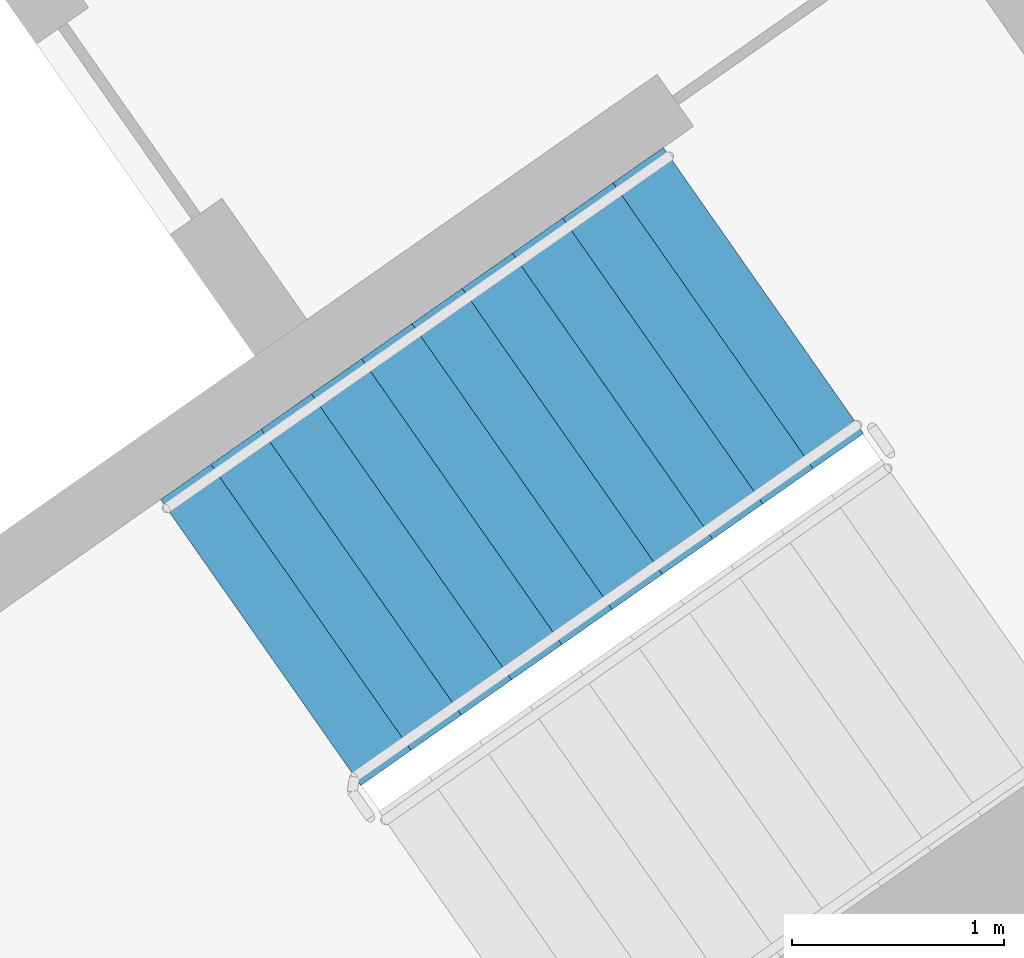
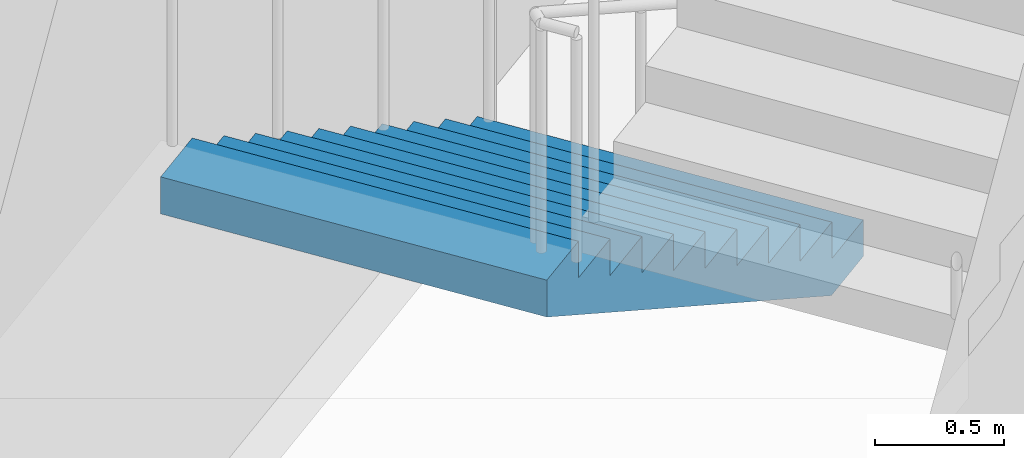
# One storey, part 15 of 28: 1 stair flight, 1 element without a shape of its own.
"""IFC4 building model written with IfcOpenShell, lengths in metres."""

from ifc_helpers import new_model, si_unit, direction, frame, origin, place, context, subcontext, project, spatial, faceted_brep, material, type_object, element, aggregate, save


model = new_model("IFC4")

# Units and contexts
model_context = context("Model", 3, precision=1e-05, world=origin(), true_north=direction((0.0, 1.0)))
body_context = subcontext(model_context, "Body", "Model", "MODEL_VIEW")
ifc_project = project(units=[si_unit("LENGTHUNIT", "METRE"), si_unit("AREAUNIT", "SQUARE_METRE"), si_unit("VOLUMEUNIT", "CUBIC_METRE"), si_unit("PLANEANGLEUNIT", "RADIAN"), si_unit("MASSUNIT", "GRAM", prefix="KILO")], contexts=[model_context])

# Site, building, storey
site_placement = place(None, origin())
site = spatial("IfcSite", under=ifc_project, at=site_placement, CompositionType="ELEMENT")
building_placement = place(site_placement, origin())
building = spatial("IfcBuilding", under=site, at=building_placement, Name="Qamariyya Broadcast Tower", CompositionType="ELEMENT")
storey_placement = place(building_placement, frame((0.0, 0.0, 234.10009765625)))
storey = spatial("IfcBuildingStorey", under=building, at=storey_placement, Name="L56", CompositionType="ELEMENT", Elevation=234.10009765625)

# Stair, stair flight
ifc_material = material(Name="Concrete C50/60", Category="concrete")
stair_type = type_object("IfcStairType", Name="Exit stair 22 risers of 173 mm", PredefinedType="HALF_TURN_STAIR", material=ifc_material)
stair_placement = place(storey_placement, origin())
stair = element("IfcStair", 1, at=stair_placement, inside=storey, type_object=stair_type, Name="L56 Stair E1", PredefinedType="HALF_TURN_STAIR")
stair_flight_type = type_object("IfcStairFlightType", Name="Exit stair flight 11 risers of 173 mm", PredefinedType="STRAIGHT", material=ifc_material)
stair_flight_placement = place(storey_placement, frame((46.036376953125, -55.508056640625, 0.0), z_axis=(0.0, 0.0, 1.0), x_axis=(-0.819152044289, -0.573576436351, 0.0)))
stair_flight = element("IfcStairFlight", 2, at=stair_flight_placement, type_object=stair_flight_type, Name="ST-E1 flight 1", NumberOfRisers=11, NumberOfTreads=10, PredefinedType="STRAIGHT", RiserHeight=0.172727273, TreadLength=0.29, context=body_context, shape_type="Brep", body=[
    faceted_brep([(0.0, 0.824951171875, 0.0), (0.0, 0.824951171875, 0.172607421875), (0.2900390625, 0.824951171875, 0.172607421875), (0.2900390625, 0.824951171875, 0.345458984375), (0.580078125, 0.824951171875, 0.345458984375), (0.580078125, 0.824951171875, 0.51806640625), (0.8701171875, 0.824951171875, 0.51806640625), (0.8701171875, 0.824951171875, 0.69091796875), (1.159912109375, 0.824951171875, 0.69091796875), (1.159912109375, 0.824951171875, 0.863525390625), (1.449951171875, 0.824951171875, 0.863525390625), (1.449951171875, 0.824951171875, 1.036376953125), (1.739990234375, 0.824951171875, 1.036376953125), (1.739990234375, 0.824951171875, 1.208984375), (2.030029296875, 0.824951171875, 1.208984375), (2.030029296875, 0.824951171875, 1.3818359375), (2.320068359375, 0.824951171875, 1.3818359375), (2.320068359375, 0.824951171875, 1.554443359375), (2.610107421875, 0.824951171875, 1.554443359375), (2.610107421875, 0.824951171875, 1.727294921875), (2.89990234375, 0.824951171875, 1.727294921875), (2.89990234375, 0.824951171875, 1.552734375), (0.29296875, 0.824951171875, 0.0), (0.29296875, -0.824951171875, 0.0), (2.89990234375, -0.824951171875, 1.552734375), (2.89990234375, -0.824951171875, 1.727294921875), (2.610107421875, -0.824951171875, 1.727294921875), (2.610107421875, -0.824951171875, 1.554443359375), (2.320068359375, -0.824951171875, 1.554443359375), (2.320068359375, -0.824951171875, 1.3818359375), (2.030029296875, -0.824951171875, 1.3818359375), (2.030029296875, -0.824951171875, 1.208984375), (1.739990234375, -0.824951171875, 1.208984375), (1.739990234375, -0.824951171875, 1.036376953125), (1.449951171875, -0.824951171875, 1.036376953125), (1.449951171875, -0.824951171875, 0.863525390625), (1.159912109375, -0.824951171875, 0.863525390625), (1.159912109375, -0.824951171875, 0.69091796875), (0.8701171875, -0.824951171875, 0.69091796875), (0.8701171875, -0.824951171875, 0.51806640625), (0.580078125, -0.824951171875, 0.51806640625), (0.580078125, -0.824951171875, 0.345458984375), (0.2900390625, -0.824951171875, 0.345458984375), (0.2900390625, -0.824951171875, 0.172607421875), (0.0, -0.824951171875, 0.172607421875), (0.0, -0.824951171875, 0.0), (0.0, 0.10009765625, 0.0), (0.0, 0.086669921875, 0.0), (0.0, 0.0732421875, 0.0), (0.0, 0.06005859375, 0.0), (0.0, 0.046630859375, 0.0), (0.0, 0.033447265625, 0.0), (0.0, 0.02001953125, 0.0), (0.0, 0.006591796875, 0.0), (0.0, -0.006591796875, 0.0), (0.0, -0.02001953125, 0.0), (0.0, -0.033447265625, 0.0), (0.0, -0.046630859375, 0.0), (0.0, -0.06005859375, 0.0), (0.0, -0.0732421875, 0.0), (0.0, -0.086669921875, 0.0), (0.0, -0.10009765625, 0.0), (0.0, -0.10009765625, 0.172607421875), (0.0, -0.086669921875, 0.172607421875), (0.0, -0.0732421875, 0.172607421875), (0.0, -0.06005859375, 0.172607421875), (0.0, -0.046630859375, 0.172607421875), (0.0, -0.033447265625, 0.172607421875), (0.0, -0.02001953125, 0.172607421875), (0.0, -0.006591796875, 0.172607421875), (0.0, 0.006591796875, 0.172607421875), (0.0, 0.02001953125, 0.172607421875), (0.0, 0.033447265625, 0.172607421875), (0.0, 0.046630859375, 0.172607421875), (0.0, 0.06005859375, 0.172607421875), (0.0, 0.0732421875, 0.172607421875), (0.0, 0.086669921875, 0.172607421875), (0.0, 0.10009765625, 0.172607421875), (0.2900390625, -0.10009765625, 0.172607421875), (0.2900390625, -0.086669921875, 0.172607421875), (0.2900390625, -0.0732421875, 0.172607421875), (0.2900390625, -0.06005859375, 0.172607421875), (0.2900390625, -0.046630859375, 0.172607421875), (0.2900390625, -0.033447265625, 0.172607421875), (0.2900390625, -0.02001953125, 0.172607421875), (0.2900390625, -0.006591796875, 0.172607421875), (0.2900390625, 0.006591796875, 0.172607421875), (0.2900390625, 0.02001953125, 0.172607421875), (0.2900390625, 0.033447265625, 0.172607421875), (0.2900390625, 0.046630859375, 0.172607421875), (0.2900390625, 0.06005859375, 0.172607421875), (0.2900390625, 0.0732421875, 0.172607421875), (0.2900390625, 0.086669921875, 0.172607421875), (0.2900390625, 0.10009765625, 0.172607421875), (0.2900390625, -0.10009765625, 0.345458984375), (0.2900390625, -0.086669921875, 0.345458984375), (0.2900390625, -0.0732421875, 0.345458984375), (0.2900390625, -0.06005859375, 0.345458984375), (0.2900390625, -0.046630859375, 0.345458984375), (0.2900390625, -0.033447265625, 0.345458984375), (0.2900390625, -0.02001953125, 0.345458984375), (0.2900390625, -0.006591796875, 0.345458984375), (0.2900390625, 0.006591796875, 0.345458984375), (0.2900390625, 0.02001953125, 0.345458984375), (0.2900390625, 0.033447265625, 0.345458984375), (0.2900390625, 0.046630859375, 0.345458984375), (0.2900390625, 0.06005859375, 0.345458984375), (0.2900390625, 0.0732421875, 0.345458984375), (0.2900390625, 0.086669921875, 0.345458984375), (0.2900390625, 0.10009765625, 0.345458984375), (0.580078125, -0.10009765625, 0.345458984375), (0.580078125, -0.086669921875, 0.345458984375), (0.580078125, -0.0732421875, 0.345458984375), (0.580078125, -0.06005859375, 0.345458984375), (0.580078125, -0.046630859375, 0.345458984375), (0.580078125, -0.033447265625, 0.345458984375), (0.580078125, -0.02001953125, 0.345458984375), (0.580078125, -0.006591796875, 0.345458984375), (0.580078125, 0.006591796875, 0.345458984375), (0.580078125, 0.02001953125, 0.345458984375), (0.580078125, 0.033447265625, 0.345458984375), (0.580078125, 0.046630859375, 0.345458984375), (0.580078125, 0.06005859375, 0.345458984375), (0.580078125, 0.0732421875, 0.345458984375), (0.580078125, 0.086669921875, 0.345458984375), (0.580078125, 0.10009765625, 0.345458984375), (0.580078125, -0.10009765625, 0.51806640625), (0.580078125, -0.086669921875, 0.51806640625), (0.580078125, -0.0732421875, 0.51806640625), (0.580078125, -0.06005859375, 0.51806640625), (0.580078125, -0.046630859375, 0.51806640625), (0.580078125, -0.033447265625, 0.51806640625), (0.580078125, -0.02001953125, 0.51806640625), (0.580078125, -0.006591796875, 0.51806640625), (0.580078125, 0.006591796875, 0.51806640625), (0.580078125, 0.02001953125, 0.51806640625), (0.580078125, 0.033447265625, 0.51806640625), (0.580078125, 0.046630859375, 0.51806640625), (0.580078125, 0.06005859375, 0.51806640625), (0.580078125, 0.0732421875, 0.51806640625), (0.580078125, 0.086669921875, 0.51806640625), (0.580078125, 0.10009765625, 0.51806640625), (0.8701171875, -0.10009765625, 0.51806640625), (0.8701171875, -0.086669921875, 0.51806640625), (0.8701171875, -0.0732421875, 0.51806640625), (0.8701171875, -0.06005859375, 0.51806640625), (0.8701171875, -0.046630859375, 0.51806640625), (0.8701171875, -0.033447265625, 0.51806640625), (0.8701171875, -0.02001953125, 0.51806640625), (0.8701171875, -0.006591796875, 0.51806640625), (0.8701171875, 0.006591796875, 0.51806640625), (0.8701171875, 0.02001953125, 0.51806640625), (0.8701171875, 0.033447265625, 0.51806640625), (0.8701171875, 0.046630859375, 0.51806640625), (0.8701171875, 0.06005859375, 0.51806640625), (0.8701171875, 0.0732421875, 0.51806640625), (0.8701171875, 0.086669921875, 0.51806640625), (0.8701171875, 0.10009765625, 0.51806640625), (0.8701171875, -0.10009765625, 0.69091796875), (0.8701171875, -0.086669921875, 0.69091796875), (0.8701171875, -0.0732421875, 0.69091796875), (0.8701171875, -0.06005859375, 0.69091796875), (0.8701171875, -0.046630859375, 0.69091796875), (0.8701171875, -0.033447265625, 0.69091796875), (0.8701171875, -0.02001953125, 0.69091796875), (0.8701171875, -0.006591796875, 0.69091796875), (0.8701171875, 0.006591796875, 0.69091796875), (0.8701171875, 0.02001953125, 0.69091796875), (0.8701171875, 0.033447265625, 0.69091796875), (0.8701171875, 0.046630859375, 0.69091796875), (0.8701171875, 0.06005859375, 0.69091796875), (0.8701171875, 0.0732421875, 0.69091796875), (0.8701171875, 0.086669921875, 0.69091796875), (0.8701171875, 0.10009765625, 0.69091796875), (1.159912109375, -0.10009765625, 0.69091796875), (1.159912109375, -0.086669921875, 0.69091796875), (1.159912109375, -0.0732421875, 0.69091796875), (1.159912109375, -0.06005859375, 0.69091796875), (1.159912109375, -0.046630859375, 0.69091796875), (1.159912109375, -0.033447265625, 0.69091796875), (1.159912109375, -0.02001953125, 0.69091796875), (1.159912109375, -0.006591796875, 0.69091796875), (1.159912109375, 0.006591796875, 0.69091796875), (1.159912109375, 0.02001953125, 0.69091796875), (1.159912109375, 0.033447265625, 0.69091796875), (1.159912109375, 0.046630859375, 0.69091796875), (1.159912109375, 0.06005859375, 0.69091796875), (1.159912109375, 0.0732421875, 0.69091796875), (1.159912109375, 0.086669921875, 0.69091796875), (1.159912109375, 0.10009765625, 0.69091796875), (1.159912109375, -0.10009765625, 0.863525390625), (1.159912109375, -0.086669921875, 0.863525390625), (1.159912109375, -0.0732421875, 0.863525390625), (1.159912109375, -0.06005859375, 0.863525390625), (1.159912109375, -0.046630859375, 0.863525390625), (1.159912109375, -0.033447265625, 0.863525390625), (1.159912109375, -0.02001953125, 0.863525390625), (1.159912109375, -0.006591796875, 0.863525390625), (1.159912109375, 0.006591796875, 0.863525390625), (1.159912109375, 0.02001953125, 0.863525390625), (1.159912109375, 0.033447265625, 0.863525390625), (1.159912109375, 0.046630859375, 0.863525390625), (1.159912109375, 0.06005859375, 0.863525390625), (1.159912109375, 0.0732421875, 0.863525390625), (1.159912109375, 0.086669921875, 0.863525390625), (1.159912109375, 0.10009765625, 0.863525390625), (1.449951171875, -0.10009765625, 0.863525390625), (1.449951171875, -0.086669921875, 0.863525390625), (1.449951171875, -0.0732421875, 0.863525390625), (1.449951171875, -0.06005859375, 0.863525390625), (1.449951171875, -0.046630859375, 0.863525390625), (1.449951171875, -0.033447265625, 0.863525390625), (1.449951171875, -0.02001953125, 0.863525390625), (1.449951171875, -0.006591796875, 0.863525390625), (1.449951171875, 0.006591796875, 0.863525390625), (1.449951171875, 0.02001953125, 0.863525390625), (1.449951171875, 0.033447265625, 0.863525390625), (1.449951171875, 0.046630859375, 0.863525390625), (1.449951171875, 0.06005859375, 0.863525390625), (1.449951171875, 0.0732421875, 0.863525390625), (1.449951171875, 0.086669921875, 0.863525390625), (1.449951171875, 0.10009765625, 0.863525390625), (1.449951171875, -0.10009765625, 1.036376953125), (1.449951171875, -0.086669921875, 1.036376953125), (1.449951171875, -0.0732421875, 1.036376953125), (1.449951171875, -0.06005859375, 1.036376953125), (1.449951171875, -0.046630859375, 1.036376953125), (1.449951171875, -0.033447265625, 1.036376953125), (1.449951171875, -0.02001953125, 1.036376953125), (1.449951171875, -0.006591796875, 1.036376953125), (1.449951171875, 0.006591796875, 1.036376953125), (1.449951171875, 0.02001953125, 1.036376953125), (1.449951171875, 0.033447265625, 1.036376953125), (1.449951171875, 0.046630859375, 1.036376953125), (1.449951171875, 0.06005859375, 1.036376953125), (1.449951171875, 0.0732421875, 1.036376953125), (1.449951171875, 0.086669921875, 1.036376953125), (1.449951171875, 0.10009765625, 1.036376953125), (1.739990234375, -0.10009765625, 1.036376953125), (1.739990234375, -0.086669921875, 1.036376953125), (1.739990234375, -0.0732421875, 1.036376953125), (1.739990234375, -0.06005859375, 1.036376953125), (1.739990234375, -0.046630859375, 1.036376953125), (1.739990234375, -0.033447265625, 1.036376953125), (1.739990234375, -0.02001953125, 1.036376953125), (1.739990234375, -0.006591796875, 1.036376953125), (1.739990234375, 0.006591796875, 1.036376953125), (1.739990234375, 0.02001953125, 1.036376953125), (1.739990234375, 0.033447265625, 1.036376953125), (1.739990234375, 0.046630859375, 1.036376953125), (1.739990234375, 0.06005859375, 1.036376953125), (1.739990234375, 0.0732421875, 1.036376953125), (1.739990234375, 0.086669921875, 1.036376953125), (1.739990234375, 0.10009765625, 1.036376953125), (1.739990234375, -0.10009765625, 1.208984375), (1.739990234375, -0.086669921875, 1.208984375), (1.739990234375, -0.0732421875, 1.208984375), (1.739990234375, -0.06005859375, 1.208984375), (1.739990234375, -0.046630859375, 1.208984375), (1.739990234375, -0.033447265625, 1.208984375), (1.739990234375, -0.02001953125, 1.208984375), (1.739990234375, -0.006591796875, 1.208984375), (1.739990234375, 0.006591796875, 1.208984375), (1.739990234375, 0.02001953125, 1.208984375), (1.739990234375, 0.033447265625, 1.208984375), (1.739990234375, 0.046630859375, 1.208984375), (1.739990234375, 0.06005859375, 1.208984375), (1.739990234375, 0.0732421875, 1.208984375), (1.739990234375, 0.086669921875, 1.208984375), (1.739990234375, 0.10009765625, 1.208984375), (2.030029296875, -0.10009765625, 1.208984375), (2.030029296875, -0.086669921875, 1.208984375), (2.030029296875, -0.0732421875, 1.208984375), (2.030029296875, -0.06005859375, 1.208984375), (2.030029296875, -0.046630859375, 1.208984375), (2.030029296875, -0.033447265625, 1.208984375), (2.030029296875, -0.02001953125, 1.208984375), (2.030029296875, -0.006591796875, 1.208984375), (2.030029296875, 0.006591796875, 1.208984375), (2.030029296875, 0.02001953125, 1.208984375), (2.030029296875, 0.033447265625, 1.208984375), (2.030029296875, 0.046630859375, 1.208984375), (2.030029296875, 0.06005859375, 1.208984375), (2.030029296875, 0.0732421875, 1.208984375), (2.030029296875, 0.086669921875, 1.208984375), (2.030029296875, 0.10009765625, 1.208984375), (2.030029296875, -0.10009765625, 1.3818359375), (2.030029296875, -0.086669921875, 1.3818359375), (2.030029296875, -0.0732421875, 1.3818359375), (2.030029296875, -0.06005859375, 1.3818359375), (2.030029296875, -0.046630859375, 1.3818359375), (2.030029296875, -0.033447265625, 1.3818359375), (2.030029296875, -0.02001953125, 1.3818359375), (2.030029296875, -0.006591796875, 1.3818359375), (2.030029296875, 0.006591796875, 1.3818359375), (2.030029296875, 0.02001953125, 1.3818359375), (2.030029296875, 0.033447265625, 1.3818359375), (2.030029296875, 0.046630859375, 1.3818359375), (2.030029296875, 0.06005859375, 1.3818359375), (2.030029296875, 0.0732421875, 1.3818359375), (2.030029296875, 0.086669921875, 1.3818359375), (2.030029296875, 0.10009765625, 1.3818359375), (2.320068359375, -0.10009765625, 1.3818359375), (2.320068359375, -0.086669921875, 1.3818359375), (2.320068359375, -0.0732421875, 1.3818359375), (2.320068359375, -0.06005859375, 1.3818359375), (2.320068359375, -0.046630859375, 1.3818359375), (2.320068359375, -0.033447265625, 1.3818359375), (2.320068359375, -0.02001953125, 1.3818359375), (2.320068359375, -0.006591796875, 1.3818359375), (2.320068359375, 0.006591796875, 1.3818359375), (2.320068359375, 0.02001953125, 1.3818359375), (2.320068359375, 0.033447265625, 1.3818359375), (2.320068359375, 0.046630859375, 1.3818359375), (2.320068359375, 0.06005859375, 1.3818359375), (2.320068359375, 0.0732421875, 1.3818359375), (2.320068359375, 0.086669921875, 1.3818359375), (2.320068359375, 0.10009765625, 1.3818359375), (2.320068359375, -0.10009765625, 1.554443359375), (2.320068359375, -0.086669921875, 1.554443359375), (2.320068359375, -0.0732421875, 1.554443359375), (2.320068359375, -0.06005859375, 1.554443359375), (2.320068359375, -0.046630859375, 1.554443359375), (2.320068359375, -0.033447265625, 1.554443359375), (2.320068359375, -0.02001953125, 1.554443359375), (2.320068359375, -0.006591796875, 1.554443359375), (2.320068359375, 0.006591796875, 1.554443359375), (2.320068359375, 0.02001953125, 1.554443359375), (2.320068359375, 0.033447265625, 1.554443359375), (2.320068359375, 0.046630859375, 1.554443359375), (2.320068359375, 0.06005859375, 1.554443359375), (2.320068359375, 0.0732421875, 1.554443359375), (2.320068359375, 0.086669921875, 1.554443359375), (2.320068359375, 0.10009765625, 1.554443359375), (2.610107421875, -0.10009765625, 1.554443359375), (2.610107421875, -0.086669921875, 1.554443359375), (2.610107421875, -0.0732421875, 1.554443359375), (2.610107421875, -0.06005859375, 1.554443359375), (2.610107421875, -0.046630859375, 1.554443359375), (2.610107421875, -0.033447265625, 1.554443359375), (2.610107421875, -0.02001953125, 1.554443359375), (2.610107421875, -0.006591796875, 1.554443359375), (2.610107421875, 0.006591796875, 1.554443359375), (2.610107421875, 0.02001953125, 1.554443359375), (2.610107421875, 0.033447265625, 1.554443359375), (2.610107421875, 0.046630859375, 1.554443359375), (2.610107421875, 0.06005859375, 1.554443359375), (2.610107421875, 0.0732421875, 1.554443359375), (2.610107421875, 0.086669921875, 1.554443359375), (2.610107421875, 0.10009765625, 1.554443359375), (2.610107421875, -0.10009765625, 1.727294921875), (2.610107421875, -0.086669921875, 1.727294921875), (2.610107421875, -0.0732421875, 1.727294921875), (2.610107421875, -0.06005859375, 1.727294921875), (2.610107421875, -0.046630859375, 1.727294921875), (2.610107421875, -0.033447265625, 1.727294921875), (2.610107421875, -0.02001953125, 1.727294921875), (2.610107421875, -0.006591796875, 1.727294921875), (2.610107421875, 0.006591796875, 1.727294921875), (2.610107421875, 0.02001953125, 1.727294921875), (2.610107421875, 0.033447265625, 1.727294921875), (2.610107421875, 0.046630859375, 1.727294921875), (2.610107421875, 0.06005859375, 1.727294921875), (2.610107421875, 0.0732421875, 1.727294921875), (2.610107421875, 0.086669921875, 1.727294921875), (2.610107421875, 0.10009765625, 1.727294921875), (2.89990234375, -0.10009765625, 1.727294921875), (2.89990234375, -0.086669921875, 1.727294921875), (2.89990234375, -0.0732421875, 1.727294921875), (2.89990234375, -0.06005859375, 1.727294921875), (2.89990234375, -0.046630859375, 1.727294921875), (2.89990234375, -0.033447265625, 1.727294921875), (2.89990234375, -0.02001953125, 1.727294921875), (2.89990234375, -0.006591796875, 1.727294921875), (2.89990234375, 0.006591796875, 1.727294921875), (2.89990234375, 0.02001953125, 1.727294921875), (2.89990234375, 0.033447265625, 1.727294921875), (2.89990234375, 0.046630859375, 1.727294921875), (2.89990234375, 0.06005859375, 1.727294921875), (2.89990234375, 0.0732421875, 1.727294921875), (2.89990234375, 0.086669921875, 1.727294921875), (2.89990234375, 0.10009765625, 1.727294921875), (2.89990234375, -0.10009765625, 1.552734375), (2.89990234375, -0.086669921875, 1.552734375), (2.89990234375, -0.0732421875, 1.552734375), (2.89990234375, -0.06005859375, 1.552734375), (2.89990234375, -0.046630859375, 1.552734375), (2.89990234375, -0.033447265625, 1.552734375), (2.89990234375, -0.02001953125, 1.552734375), (2.89990234375, -0.006591796875, 1.552734375), (2.89990234375, 0.006591796875, 1.552734375), (2.89990234375, 0.02001953125, 1.552734375), (2.89990234375, 0.033447265625, 1.552734375), (2.89990234375, 0.046630859375, 1.552734375), (2.89990234375, 0.06005859375, 1.552734375), (2.89990234375, 0.0732421875, 1.552734375), (2.89990234375, 0.086669921875, 1.552734375), (2.89990234375, 0.10009765625, 1.552734375), (0.29296875, -0.10009765625, 0.0), (0.29296875, -0.086669921875, 0.0), (0.29296875, -0.0732421875, 0.0), (0.29296875, -0.06005859375, 0.0), (0.29296875, -0.046630859375, 0.0), (0.29296875, -0.033447265625, 0.0), (0.29296875, -0.02001953125, 0.0), (0.29296875, -0.006591796875, 0.0), (0.29296875, 0.006591796875, 0.0), (0.29296875, 0.02001953125, 0.0), (0.29296875, 0.033447265625, 0.0), (0.29296875, 0.046630859375, 0.0), (0.29296875, 0.06005859375, 0.0), (0.29296875, 0.0732421875, 0.0), (0.29296875, 0.086669921875, 0.0), (0.29296875, 0.10009765625, 0.0)], [[[0, 1, 2, 3, 4, 5, 6, 7, 8, 9, 10, 11, 12, 13, 14, 15, 16, 17, 18, 19, 20, 21, 22]], [[23, 24, 25, 26, 27, 28, 29, 30, 31, 32, 33, 34, 35, 36, 37, 38, 39, 40, 41, 42, 43, 44, 45]], [[0, 46, 47, 48, 49, 50, 51, 52, 53, 54, 55, 56, 57, 58, 59, 60, 61, 45, 44, 62, 63, 64, 65, 66, 67, 68, 69, 70, 71, 72, 73, 74, 75, 76, 77, 1]], [[1, 77, 76, 75, 74, 73, 72, 71, 70, 69, 68, 67, 66, 65, 64, 63, 62, 44, 43, 78, 79, 80, 81, 82, 83, 84, 85, 86, 87, 88, 89, 90, 91, 92, 93, 2]], [[2, 93, 92, 91, 90, 89, 88, 87, 86, 85, 84, 83, 82, 81, 80, 79, 78, 43, 42, 94, 95, 96, 97, 98, 99, 100, 101, 102, 103, 104, 105, 106, 107, 108, 109, 3]], [[3, 109, 108, 107, 106, 105, 104, 103, 102, 101, 100, 99, 98, 97, 96, 95, 94, 42, 41, 110, 111, 112, 113, 114, 115, 116, 117, 118, 119, 120, 121, 122, 123, 124, 125, 4]], [[4, 125, 124, 123, 122, 121, 120, 119, 118, 117, 116, 115, 114, 113, 112, 111, 110, 41, 40, 126, 127, 128, 129, 130, 131, 132, 133, 134, 135, 136, 137, 138, 139, 140, 141, 5]], [[5, 141, 140, 139, 138, 137, 136, 135, 134, 133, 132, 131, 130, 129, 128, 127, 126, 40, 39, 142, 143, 144, 145, 146, 147, 148, 149, 150, 151, 152, 153, 154, 155, 156, 157, 6]], [[6, 157, 156, 155, 154, 153, 152, 151, 150, 149, 148, 147, 146, 145, 144, 143, 142, 39, 38, 158, 159, 160, 161, 162, 163, 164, 165, 166, 167, 168, 169, 170, 171, 172, 173, 7]], [[7, 173, 172, 171, 170, 169, 168, 167, 166, 165, 164, 163, 162, 161, 160, 159, 158, 38, 37, 174, 175, 176, 177, 178, 179, 180, 181, 182, 183, 184, 185, 186, 187, 188, 189, 8]], [[8, 189, 188, 187, 186, 185, 184, 183, 182, 181, 180, 179, 178, 177, 176, 175, 174, 37, 36, 190, 191, 192, 193, 194, 195, 196, 197, 198, 199, 200, 201, 202, 203, 204, 205, 9]], [[9, 205, 204, 203, 202, 201, 200, 199, 198, 197, 196, 195, 194, 193, 192, 191, 190, 36, 35, 206, 207, 208, 209, 210, 211, 212, 213, 214, 215, 216, 217, 218, 219, 220, 221, 10]], [[10, 221, 220, 219, 218, 217, 216, 215, 214, 213, 212, 211, 210, 209, 208, 207, 206, 35, 34, 222, 223, 224, 225, 226, 227, 228, 229, 230, 231, 232, 233, 234, 235, 236, 237, 11]], [[11, 237, 236, 235, 234, 233, 232, 231, 230, 229, 228, 227, 226, 225, 224, 223, 222, 34, 33, 238, 239, 240, 241, 242, 243, 244, 245, 246, 247, 248, 249, 250, 251, 252, 253, 12]], [[12, 253, 252, 251, 250, 249, 248, 247, 246, 245, 244, 243, 242, 241, 240, 239, 238, 33, 32, 254, 255, 256, 257, 258, 259, 260, 261, 262, 263, 264, 265, 266, 267, 268, 269, 13]], [[13, 269, 268, 267, 266, 265, 264, 263, 262, 261, 260, 259, 258, 257, 256, 255, 254, 32, 31, 270, 271, 272, 273, 274, 275, 276, 277, 278, 279, 280, 281, 282, 283, 284, 285, 14]], [[14, 285, 284, 283, 282, 281, 280, 279, 278, 277, 276, 275, 274, 273, 272, 271, 270, 31, 30, 286, 287, 288, 289, 290, 291, 292, 293, 294, 295, 296, 297, 298, 299, 300, 301, 15]], [[15, 301, 300, 299, 298, 297, 296, 295, 294, 293, 292, 291, 290, 289, 288, 287, 286, 30, 29, 302, 303, 304, 305, 306, 307, 308, 309, 310, 311, 312, 313, 314, 315, 316, 317, 16]], [[16, 317, 316, 315, 314, 313, 312, 311, 310, 309, 308, 307, 306, 305, 304, 303, 302, 29, 28, 318, 319, 320, 321, 322, 323, 324, 325, 326, 327, 328, 329, 330, 331, 332, 333, 17]], [[17, 333, 332, 331, 330, 329, 328, 327, 326, 325, 324, 323, 322, 321, 320, 319, 318, 28, 27, 334, 335, 336, 337, 338, 339, 340, 341, 342, 343, 344, 345, 346, 347, 348, 349, 18]], [[18, 349, 348, 347, 346, 345, 344, 343, 342, 341, 340, 339, 338, 337, 336, 335, 334, 27, 26, 350, 351, 352, 353, 354, 355, 356, 357, 358, 359, 360, 361, 362, 363, 364, 365, 19]], [[19, 365, 364, 363, 362, 361, 360, 359, 358, 357, 356, 355, 354, 353, 352, 351, 350, 26, 25, 366, 367, 368, 369, 370, 371, 372, 373, 374, 375, 376, 377, 378, 379, 380, 381, 20]], [[20, 381, 380, 379, 378, 377, 376, 375, 374, 373, 372, 371, 370, 369, 368, 367, 366, 25, 24, 382, 383, 384, 385, 386, 387, 388, 389, 390, 391, 392, 393, 394, 395, 396, 397, 21]], [[21, 397, 396, 395, 394, 393, 392, 391, 390, 389, 388, 387, 386, 385, 384, 383, 382, 24, 23, 398, 399, 400, 401, 402, 403, 404, 405, 406, 407, 408, 409, 410, 411, 412, 413, 22]], [[22, 413, 412, 411, 410, 409, 408, 407, 406, 405, 404, 403, 402, 401, 400, 399, 398, 23, 45, 61, 60, 59, 58, 57, 56, 55, 54, 53, 52, 51, 50, 49, 48, 47, 46, 0]]]),
])
aggregate(stair, [stair_flight])

save(model, "model.ifc")
